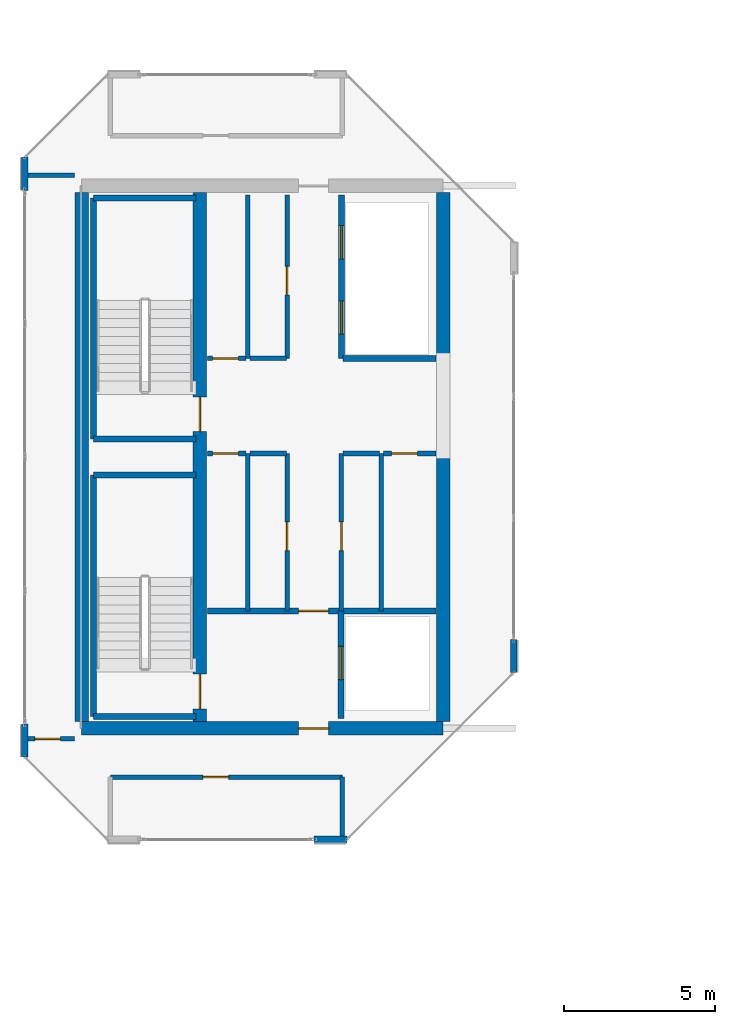
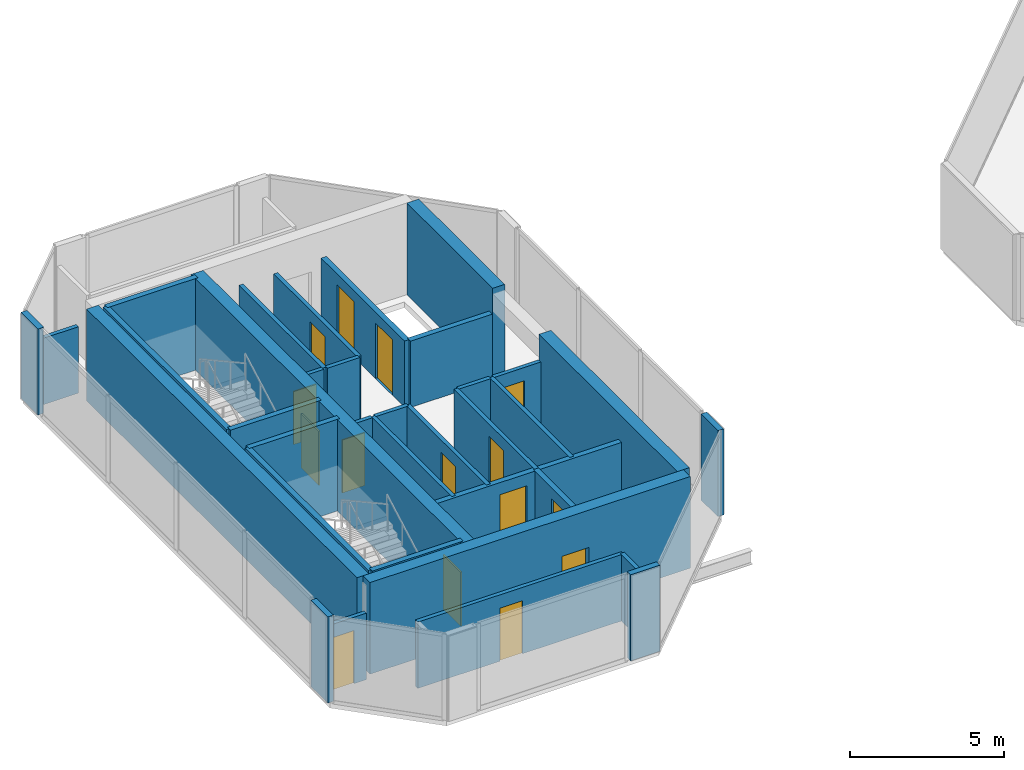
# One storey, part 23 of 30: 35 walls, 15 doors, 15 openings.
"""IFC4 building model written with IfcOpenShell, lengths in metres."""

from ifc_helpers import new_model, si_unit, direction, frame, frame_2d, origin, place, context, subcontext, project, spatial, rectangle, extrude, material, layer, layer_set, type_object, element, fill, save


model = new_model("IFC4")

# Units and contexts
model_context = context("Model", 3, precision=1e-05, world=origin(), true_north=direction((0.0, 1.0)))
body_context = subcontext(model_context, "Body", "Model", "MODEL_VIEW")
ifc_project = project(units=[si_unit("LENGTHUNIT", "METRE"), si_unit("AREAUNIT", "SQUARE_METRE"), si_unit("VOLUMEUNIT", "CUBIC_METRE"), si_unit("PLANEANGLEUNIT", "RADIAN"), si_unit("MASSUNIT", "GRAM", prefix="KILO")], contexts=[model_context])

# Site, building, storey
site_placement = place(None, origin())
site = spatial("IfcSite", under=ifc_project, at=site_placement, CompositionType="ELEMENT")
building_placement = place(site_placement, origin())
building = spatial("IfcBuilding", under=site, at=building_placement, Name="Tanjung Sevakor Pilgrim Tower", CompositionType="ELEMENT")
storey_placement = place(building_placement, frame((0.0, 0.0, 253.43994140625)))
storey = spatial("IfcBuildingStorey", under=building, at=storey_placement, Name="L71", CompositionType="ELEMENT", Elevation=253.43994140625)

# Wall, opening, door
ifc_material_1 = material(Name="Concrete C60/75", Category="concrete")
ifc_layer_1 = layer(ifc_material_1, 0.449951171875)
ifc_layer_set_1 = layer_set([ifc_layer_1], Name="WALL-CW-450")
wall_type_1 = type_object("IfcWallType", Name="WALL-CW-450", PredefinedType="SHEAR", material=ifc_layer_set_1)
wall_1_placement = place(storey_placement, frame((24.0, 24.60009765625, 0.0), z_axis=(0.0, 0.0, 1.0), x_axis=(1.0, 0.0, 0.0)))
wall_1 = element("IfcWall", 1, at=wall_1_placement, inside=storey, type_object=wall_type_1, Name="L71 W Core South Shear Wall", PredefinedType="SHEAR", context=body_context, shape_type="SweptSolid", body=[
    extrude(rectangle(XDim=12.0, YDim=0.449951171875, at=frame_2d((6.0, 0.0))), origin(), (0.0, 0.0, 1.0), 3.630126953125),
])
opening_1_placement = place(wall_1_placement, frame((7.199951171875, 0.0, 0.0)))
opening_1 = element("IfcOpeningElement", 2, at=opening_1_placement, cuts=wall_1, Name="Opening ID-FD1", PredefinedType="OPENING", context=body_context, shape_type="SweptSolid", body=[
    extrude(rectangle(XDim=1.0, YDim=2.14990234375, at=frame_2d((0.5, 1.074951171875))), frame((0.0, 0.23486328125, 0.0), z_axis=(0.0, -1.0, 0.0), x_axis=(1.0, 0.0, 0.0)), (0.0, 0.0, 1.0), 0.469970703125),
])
ifc_material_2 = material(Name="Fire-Rated Steel S355J2", Category="steel")
door_type_1 = type_object("IfcDoorType", Name="DT-FIRE-1000", OperationType="NOTDEFINED", PredefinedType="DOOR", material=ifc_material_2)
door_1_placement = place(opening_1_placement, origin())
door_1 = element("IfcDoor", 3, at=door_1_placement, inside=storey, type_object=door_type_1, Name="L71 West Core South Vestibule Fire Door", OperationType="SINGLE_SWING_LEFT", OverallHeight=2.14990234375, OverallWidth=1.0, PredefinedType="DOOR", context=body_context, shape_type="SweptSolid", body=[
    extrude(rectangle(XDim=1.0, YDim=2.14990234375, at=frame_2d((0.5, 1.074951171875))), frame((0.0, 0.02490234375, 0.0), z_axis=(0.0, -1.0, 0.0), x_axis=(1.0, 0.0, 0.0)), (0.0, 0.0, 1.0), 0.050048828125),
])
fill(opening_1, door_1)

# Walls
wall_2_placement = place(storey_placement, frame((24.0, 24.824951171875, 0.0), z_axis=(0.0, 0.0, 1.0), x_axis=(0.0, 1.0, 0.0)))
element("IfcWall", 4, at=wall_2_placement, inside=storey, type_object=wall_type_1, Name="L71 W Core Outer Shear Wall", PredefinedType="SHEAR", context=body_context, shape_type="SweptSolid", body=[
    extrude(rectangle(XDim=17.550048828125, YDim=0.449951171875, at=frame_2d((8.77490234375, 0.0))), origin(), (0.0, 0.0, 1.0), 3.630126953125),
])
wall_3_placement = place(storey_placement, frame((36.0, 24.824951171875, 0.0), z_axis=(0.0, 0.0, 1.0), x_axis=(0.0, 1.0, 0.0)))
element("IfcWall", 5, at=wall_3_placement, inside=storey, type_object=wall_type_1, Name="L71 W Core Inner Shear Wall South", PredefinedType="SHEAR", context=body_context, shape_type="SweptSolid", body=[
    extrude(rectangle(XDim=8.97509765625, YDim=0.449951171875, at=frame_2d((4.487548828125, 0.0))), origin(), (0.0, 0.0, 1.0), 3.630126953125),
])
wall_4_placement = place(storey_placement, frame((36.0, 36.800048828125, 0.0), z_axis=(0.0, 0.0, 1.0), x_axis=(0.0, 1.0, 0.0)))
element("IfcWall", 6, at=wall_4_placement, inside=storey, type_object=wall_type_1, Name="L71 W Core Inner Shear Wall North", PredefinedType="SHEAR", context=body_context, shape_type="SweptSolid", body=[
    extrude(rectangle(XDim=5.574951171875, YDim=0.449951171875, at=frame_2d((2.78759765625, 0.0))), origin(), (0.0, 0.0, 1.0), 3.630126953125),
])

# Wall, openings, doors
wall_5_placement = place(storey_placement, frame((27.925048828125, 24.824951171875, 0.0), z_axis=(0.0, 0.0, 1.0), x_axis=(0.0, 1.0, 0.0)))
wall_5 = element("IfcWall", 7, at=wall_5_placement, inside=storey, type_object=wall_type_1, Name="L71 W Core Stair Spine Wall", PredefinedType="SHEAR", context=body_context, shape_type="SweptSolid", body=[
    extrude(rectangle(XDim=17.550048828125, YDim=0.449951171875, at=frame_2d((8.77490234375, 0.0))), origin(), (0.0, 0.0, 1.0), 3.630126953125),
])
opening_2_placement = place(wall_5_placement, frame((0.425048828125, 0.0, 0.0)))
opening_2 = element("IfcOpeningElement", 8, at=opening_2_placement, cuts=wall_5, Name="Opening ID-ST1", PredefinedType="OPENING", context=body_context, shape_type="SweptSolid", body=[
    extrude(rectangle(XDim=1.14990234375, YDim=2.14990234375, at=frame_2d((0.574951171875, 1.074951171875))), frame((0.0, 0.23486328125, 0.0), z_axis=(0.0, -1.0, 0.0), x_axis=(1.0, 0.0, 0.0)), (0.0, 0.0, 1.0), 0.469970703125),
])
opening_3_placement = place(wall_5_placement, frame((9.625, 0.0, 0.0)))
opening_3 = element("IfcOpeningElement", 9, at=opening_3_placement, cuts=wall_5, Name="Opening ID-ST1", PredefinedType="OPENING", context=body_context, shape_type="SweptSolid", body=[
    extrude(rectangle(XDim=1.14990234375, YDim=2.14990234375, at=frame_2d((0.574951171875, 1.074951171875))), frame((0.0, 0.23486328125, 0.0), z_axis=(0.0, -1.0, 0.0), x_axis=(1.0, 0.0, 0.0)), (0.0, 0.0, 1.0), 0.469970703125),
])
ifc_material_3 = material(Name="Fire-Rated Steel S355J2", Category="steel")
door_type_2 = type_object("IfcDoorType", Name="DT-FIRE-1150", OperationType="NOTDEFINED", PredefinedType="DOOR", material=ifc_material_3)
door_2_placement = place(opening_2_placement, origin())
door_2 = element("IfcDoor", 10, at=door_2_placement, inside=storey, type_object=door_type_2, Name="L71 TS-W1 Stair Fire Door", OperationType="SINGLE_SWING_RIGHT", OverallHeight=2.14990234375, OverallWidth=1.14990234375, PredefinedType="DOOR", context=body_context, shape_type="SweptSolid", body=[
    extrude(rectangle(XDim=1.14990234375, YDim=2.14990234375, at=frame_2d((0.574951171875, 1.074951171875))), frame((0.0, 0.02490234375, 0.0), z_axis=(0.0, -1.0, 0.0), x_axis=(1.0, 0.0, 0.0)), (0.0, 0.0, 1.0), 0.050048828125),
])
fill(opening_2, door_2)
door_3_placement = place(opening_3_placement, origin())
door_3 = element("IfcDoor", 11, at=door_3_placement, inside=storey, type_object=door_type_2, Name="L71 TS-W2 Stair Fire Door", OperationType="SINGLE_SWING_LEFT", OverallHeight=2.14990234375, OverallWidth=1.14990234375, PredefinedType="DOOR", context=body_context, shape_type="SweptSolid", body=[
    extrude(rectangle(XDim=1.14990234375, YDim=2.14990234375, at=frame_2d((0.574951171875, 1.074951171875))), frame((0.0, 0.02490234375, 0.0), z_axis=(0.0, -1.0, 0.0), x_axis=(1.0, 0.0, 0.0)), (0.0, 0.0, 1.0), 0.050048828125),
])
fill(opening_3, door_3)

# Wall
ifc_material_4 = material(Name="Concrete C40/50", Category="concrete")
ifc_layer_2 = layer(ifc_material_4, 0.14990234375)
ifc_layer_set_2 = layer_set([ifc_layer_2], Name="WT-COMP-150")
wall_type_2 = type_object("IfcWallType", Name="WT-COMP-150", PredefinedType="SOLIDWALL", material=ifc_layer_set_2)
wall_6_placement = place(storey_placement, frame((29.52001953125, 28.5, 0.0), z_axis=(0.0, 0.0, 1.0), x_axis=(0.0, 1.0, 0.0)))
element("IfcWall", 12, at=wall_6_placement, inside=storey, type_object=wall_type_2, Name="L71 Partition IW-L71-003", PredefinedType="SOLIDWALL", context=body_context, shape_type="SweptSolid", body=[
    extrude(rectangle(XDim=5.219970703125, YDim=0.14990234375, at=frame_2d((2.60986328125, 0.0))), origin(), (0.0, 0.0, 1.0), 2.6298828125),
])

# Wall, opening, door
wall_7_placement = place(storey_placement, frame((28.169921875, 33.719970703125, 0.0), z_axis=(0.0, 0.0, 1.0), x_axis=(1.0, 0.0, 0.0)))
wall_7 = element("IfcWall", 13, at=wall_7_placement, inside=storey, type_object=wall_type_2, Name="L71 Partition IW-L71-004", PredefinedType="SOLIDWALL", context=body_context, shape_type="SweptSolid", body=[
    extrude(rectangle(XDim=1.280029296875, YDim=0.14990234375, at=frame_2d((0.64013671875, 0.0))), origin(), (0.0, 0.0, 1.0), 2.6298828125),
])
opening_4_placement = place(wall_7_placement, frame((0.179931640625, 0.0, 0.0)))
opening_4 = element("IfcOpeningElement", 14, at=opening_4_placement, cuts=wall_7, Name="Opening ID-FD3", PredefinedType="OPENING", context=body_context, shape_type="SweptSolid", body=[
    extrude(rectangle(XDim=0.85009765625, YDim=2.10009765625, at=frame_2d((0.425048828125, 1.050048828125))), frame((0.0, 0.0849609375, 0.0), z_axis=(0.0, -1.0, 0.0), x_axis=(1.0, 0.0, 0.0)), (0.0, 0.0, 1.0), 0.169921875),
])
ifc_material_5 = material(Name="Fire-Rated Timber", Category="wood")
door_type_3 = type_object("IfcDoorType", Name="DT-FIRE-850", OperationType="NOTDEFINED", PredefinedType="DOOR", material=ifc_material_5)
door_4_placement = place(opening_4_placement, origin())
door_4 = element("IfcDoor", 15, at=door_4_placement, inside=storey, type_object=door_type_3, Name="L71 Cleaner Store Door", OperationType="SINGLE_SWING_LEFT", OverallHeight=2.10009765625, OverallWidth=0.85009765625, PredefinedType="DOOR", context=body_context, shape_type="SweptSolid", body=[
    extrude(rectangle(XDim=0.85009765625, YDim=2.10009765625, at=frame_2d((0.425048828125, 1.050048828125))), frame((0.0, 0.02490234375, 0.0), z_axis=(0.0, -1.0, 0.0), x_axis=(1.0, 0.0, 0.0)), (0.0, 0.0, 1.0), 0.050048828125),
])
fill(opening_4, door_4)

# Wall
wall_8_placement = place(storey_placement, frame((29.580078125, 33.719970703125, 0.0), z_axis=(0.0, 0.0, 1.0), x_axis=(1.0, 0.0, 0.0)))
element("IfcWall", 16, at=wall_8_placement, inside=storey, type_object=wall_type_2, Name="L71 Partition IW-L71-005", PredefinedType="SOLIDWALL", context=body_context, shape_type="SweptSolid", body=[
    extrude(rectangle(XDim=1.219970703125, YDim=0.14990234375, at=frame_2d((0.60986328125, 0.0))), origin(), (0.0, 0.0, 1.0), 2.6298828125),
])

# Wall, opening, door
wall_9_placement = place(storey_placement, frame((30.820068359375, 28.5, 0.0), z_axis=(0.0, 0.0, 1.0), x_axis=(0.0, 1.0, 0.0)))
wall_9 = element("IfcWall", 17, at=wall_9_placement, inside=storey, type_object=wall_type_2, Name="L71 Partition IW-L71-006", PredefinedType="SOLIDWALL", context=body_context, shape_type="SweptSolid", body=[
    extrude(rectangle(XDim=5.219970703125, YDim=0.14990234375, at=frame_2d((2.60986328125, 0.0))), origin(), (0.0, 0.0, 1.0), 2.6298828125),
])
opening_5_placement = place(wall_9_placement, frame((2.0, 0.0, 0.0)))
opening_5 = element("IfcOpeningElement", 18, at=opening_5_placement, cuts=wall_9, Name="Opening ID-FD2", PredefinedType="OPENING", context=body_context, shape_type="SweptSolid", body=[
    extrude(rectangle(XDim=0.949951171875, YDim=2.14990234375, at=frame_2d((0.47509765625, 1.074951171875))), frame((0.0, 0.0849609375, 0.0), z_axis=(0.0, -1.0, 0.0), x_axis=(1.0, 0.0, 0.0)), (0.0, 0.0, 1.0), 0.169921875),
])
ifc_material_6 = material(Name="Fire-Rated Timber", Category="wood")
door_type_4 = type_object("IfcDoorType", Name="DT-FIRE-950", OperationType="NOTDEFINED", PredefinedType="DOOR", material=ifc_material_6)
door_5_placement = place(opening_5_placement, origin())
door_5 = element("IfcDoor", 19, at=door_5_placement, inside=storey, type_object=door_type_4, Name="L71 Housekeeping Pantry Door", OperationType="SINGLE_SWING_RIGHT", OverallHeight=2.14990234375, OverallWidth=0.949951171875, PredefinedType="DOOR", context=body_context, shape_type="SweptSolid", body=[
    extrude(rectangle(XDim=0.949951171875, YDim=2.14990234375, at=frame_2d((0.47509765625, 1.074951171875))), frame((0.0, 0.02490234375, 0.0), z_axis=(0.0, -1.0, 0.0), x_axis=(1.0, 0.0, 0.0)), (0.0, 0.0, 1.0), 0.050048828125),
])
fill(opening_5, door_5)

# Walls
wall_10_placement = place(storey_placement, frame((33.949951171875, 28.5, 0.0), z_axis=(0.0, 0.0, 1.0), x_axis=(0.0, 1.0, 0.0)))
element("IfcWall", 20, at=wall_10_placement, inside=storey, type_object=wall_type_2, Name="L71 Partition IW-L71-007", PredefinedType="SOLIDWALL", context=body_context, shape_type="SweptSolid", body=[
    extrude(rectangle(XDim=5.219970703125, YDim=0.14990234375, at=frame_2d((2.60986328125, 0.0))), origin(), (0.0, 0.0, 1.0), 2.6298828125),
])
wall_11_placement = place(storey_placement, frame((32.679931640625, 33.719970703125, 0.0), z_axis=(0.0, 0.0, 1.0), x_axis=(1.0, 0.0, 0.0)))
element("IfcWall", 21, at=wall_11_placement, inside=storey, type_object=wall_type_2, Name="L71 Partition IW-L71-008", PredefinedType="SOLIDWALL", context=body_context, shape_type="SweptSolid", body=[
    extrude(rectangle(XDim=1.2099609375, YDim=0.14990234375, at=frame_2d((0.60498046875, 0.0))), origin(), (0.0, 0.0, 1.0), 2.6298828125),
])

# Wall, opening, door
wall_12_placement = place(storey_placement, frame((34.010009765625, 33.719970703125, 0.0), z_axis=(0.0, 0.0, 1.0), x_axis=(1.0, 0.0, 0.0)))
wall_12 = element("IfcWall", 22, at=wall_12_placement, inside=storey, type_object=wall_type_2, Name="L71 Partition IW-L71-009", PredefinedType="SOLIDWALL", context=body_context, shape_type="SweptSolid", body=[
    extrude(rectangle(XDim=1.744873046875, YDim=0.14990234375, at=frame_2d((0.87255859375, 0.0))), origin(), (0.0, 0.0, 1.0), 2.6298828125),
])
opening_6_placement = place(wall_12_placement, frame((0.280029296875, 0.0, 0.0)))
opening_6 = element("IfcOpeningElement", 23, at=opening_6_placement, cuts=wall_12, Name="Opening ID-FD3", PredefinedType="OPENING", context=body_context, shape_type="SweptSolid", body=[
    extrude(rectangle(XDim=0.85009765625, YDim=2.10009765625, at=frame_2d((0.425048828125, 1.050048828125))), frame((0.0, 0.0849609375, 0.0), z_axis=(0.0, -1.0, 0.0), x_axis=(1.0, 0.0, 0.0)), (0.0, 0.0, 1.0), 0.169921875),
])
door_6_placement = place(opening_6_placement, origin())
door_6 = element("IfcDoor", 24, at=door_6_placement, inside=storey, type_object=door_type_3, Name="L71 Service Store Door", OperationType="SINGLE_SWING_LEFT", OverallHeight=2.10009765625, OverallWidth=0.85009765625, PredefinedType="DOOR", context=body_context, shape_type="SweptSolid", body=[
    extrude(rectangle(XDim=0.85009765625, YDim=2.10009765625, at=frame_2d((0.425048828125, 1.050048828125))), frame((0.0, 0.02490234375, 0.0), z_axis=(0.0, -1.0, 0.0), x_axis=(1.0, 0.0, 0.0)), (0.0, 0.0, 1.0), 0.050048828125),
])
fill(opening_6, door_6)

wall_13_placement = place(storey_placement, frame((32.6201171875, 28.5, 0.0), z_axis=(0.0, 0.0, 1.0), x_axis=(0.0, 1.0, 0.0)))
wall_13 = element("IfcWall", 25, at=wall_13_placement, inside=storey, type_object=wall_type_2, Name="L71 Partition IW-L71-010", PredefinedType="SOLIDWALL", context=body_context, shape_type="SweptSolid", body=[
    extrude(rectangle(XDim=5.219970703125, YDim=0.14990234375, at=frame_2d((2.60986328125, 0.0))), origin(), (0.0, 0.0, 1.0), 2.6298828125),
])
opening_7_placement = place(wall_13_placement, frame((2.0, 0.0, 0.0)))
opening_7 = element("IfcOpeningElement", 26, at=opening_7_placement, cuts=wall_13, Name="Opening ID-FD2", PredefinedType="OPENING", context=body_context, shape_type="SweptSolid", body=[
    extrude(rectangle(XDim=0.949951171875, YDim=2.14990234375, at=frame_2d((0.47509765625, 1.074951171875))), frame((0.0, 0.0849609375, 0.0), z_axis=(0.0, -1.0, 0.0), x_axis=(1.0, 0.0, 0.0)), (0.0, 0.0, 1.0), 0.169921875),
])
door_7_placement = place(opening_7_placement, origin())
door_7 = element("IfcDoor", 27, at=door_7_placement, inside=storey, type_object=door_type_4, Name="L71 Accessible WC Door", OperationType="SINGLE_SWING_RIGHT", OverallHeight=2.14990234375, OverallWidth=0.949951171875, PredefinedType="DOOR", context=body_context, shape_type="SweptSolid", body=[
    extrude(rectangle(XDim=0.949951171875, YDim=2.14990234375, at=frame_2d((0.47509765625, 1.074951171875))), frame((0.0, 0.02490234375, 0.0), z_axis=(0.0, -1.0, 0.0), x_axis=(1.0, 0.0, 0.0)), (0.0, 0.0, 1.0), 0.050048828125),
])
fill(opening_7, door_7)

# Wall
wall_14_placement = place(storey_placement, frame((29.52001953125, 36.8798828125, 0.0), z_axis=(0.0, 0.0, 1.0), x_axis=(0.0, 1.0, 0.0)))
element("IfcWall", 28, at=wall_14_placement, inside=storey, type_object=wall_type_2, Name="L71 Partition IW-L71-011", PredefinedType="SOLIDWALL", context=body_context, shape_type="SweptSolid", body=[
    extrude(rectangle(XDim=5.420166015625, YDim=0.14990234375, at=frame_2d((2.7099609375, 0.0))), origin(), (0.0, 0.0, 1.0), 2.6298828125),
])

# Wall, opening, door
wall_15_placement = place(storey_placement, frame((28.169921875, 36.8798828125, 0.0), z_axis=(0.0, 0.0, 1.0), x_axis=(1.0, 0.0, 0.0)))
wall_15 = element("IfcWall", 29, at=wall_15_placement, inside=storey, type_object=wall_type_2, Name="L71 Partition IW-L71-012", PredefinedType="SOLIDWALL", context=body_context, shape_type="SweptSolid", body=[
    extrude(rectangle(XDim=1.280029296875, YDim=0.14990234375, at=frame_2d((0.64013671875, 0.0))), origin(), (0.0, 0.0, 1.0), 2.6298828125),
])
opening_8_placement = place(wall_15_placement, frame((0.179931640625, 0.0, 0.0)))
opening_8 = element("IfcOpeningElement", 30, at=opening_8_placement, cuts=wall_15, Name="Opening ID-FD3", PredefinedType="OPENING", context=body_context, shape_type="SweptSolid", body=[
    extrude(rectangle(XDim=0.85009765625, YDim=2.10009765625, at=frame_2d((0.425048828125, 1.050048828125))), frame((0.0, 0.0849609375, 0.0), z_axis=(0.0, -1.0, 0.0), x_axis=(1.0, 0.0, 0.0)), (0.0, 0.0, 1.0), 0.169921875),
])
door_8_placement = place(opening_8_placement, origin())
door_8 = element("IfcDoor", 31, at=door_8_placement, inside=storey, type_object=door_type_3, Name="L71 Service Store Door", OperationType="SINGLE_SWING_LEFT", OverallHeight=2.10009765625, OverallWidth=0.85009765625, PredefinedType="DOOR", context=body_context, shape_type="SweptSolid", body=[
    extrude(rectangle(XDim=0.85009765625, YDim=2.10009765625, at=frame_2d((0.425048828125, 1.050048828125))), frame((0.0, 0.02490234375, 0.0), z_axis=(0.0, -1.0, 0.0), x_axis=(1.0, 0.0, 0.0)), (0.0, 0.0, 1.0), 0.050048828125),
])
fill(opening_8, door_8)

# Wall
wall_16_placement = place(storey_placement, frame((29.580078125, 36.8798828125, 0.0), z_axis=(0.0, 0.0, 1.0), x_axis=(1.0, 0.0, 0.0)))
element("IfcWall", 32, at=wall_16_placement, inside=storey, type_object=wall_type_2, Name="L71 Partition IW-L71-013", PredefinedType="SOLIDWALL", context=body_context, shape_type="SweptSolid", body=[
    extrude(rectangle(XDim=1.219970703125, YDim=0.14990234375, at=frame_2d((0.60986328125, 0.0))), origin(), (0.0, 0.0, 1.0), 2.6298828125),
])

# Wall, opening, door
wall_17_placement = place(storey_placement, frame((30.820068359375, 36.8798828125, 0.0), z_axis=(0.0, 0.0, 1.0), x_axis=(0.0, 1.0, 0.0)))
wall_17 = element("IfcWall", 33, at=wall_17_placement, inside=storey, type_object=wall_type_2, Name="L71 Partition IW-L71-014", PredefinedType="SOLIDWALL", context=body_context, shape_type="SweptSolid", body=[
    extrude(rectangle(XDim=5.420166015625, YDim=0.14990234375, at=frame_2d((2.7099609375, 0.0))), origin(), (0.0, 0.0, 1.0), 2.6298828125),
])
opening_9_placement = place(wall_17_placement, frame((2.10009765625, 0.0, 0.0)))
opening_9 = element("IfcOpeningElement", 34, at=opening_9_placement, cuts=wall_17, Name="Opening ID-FD2", PredefinedType="OPENING", context=body_context, shape_type="SweptSolid", body=[
    extrude(rectangle(XDim=0.949951171875, YDim=2.14990234375, at=frame_2d((0.47509765625, 1.074951171875))), frame((0.0, 0.0849609375, 0.0), z_axis=(0.0, -1.0, 0.0), x_axis=(1.0, 0.0, 0.0)), (0.0, 0.0, 1.0), 0.169921875),
])
door_9_placement = place(opening_9_placement, origin())
door_9 = element("IfcDoor", 35, at=door_9_placement, inside=storey, type_object=door_type_4, Name="L71 Core Reading Room Door", OperationType="SINGLE_SWING_RIGHT", OverallHeight=2.14990234375, OverallWidth=0.949951171875, PredefinedType="DOOR", context=body_context, shape_type="SweptSolid", body=[
    extrude(rectangle(XDim=0.949951171875, YDim=2.14990234375, at=frame_2d((0.47509765625, 1.074951171875))), frame((0.0, 0.02490234375, 0.0), z_axis=(0.0, -1.0, 0.0), x_axis=(1.0, 0.0, 0.0)), (0.0, 0.0, 1.0), 0.050048828125),
])
fill(opening_9, door_9)

wall_18_placement = place(storey_placement, frame((24.949951171875, 22.97998046875, 0.0), z_axis=(0.0, 0.0, 1.0), x_axis=(1.0, 0.0, 0.0)))
wall_18 = element("IfcWall", 36, at=wall_18_placement, inside=storey, type_object=wall_type_2, Name="L71 Partition IW-L71-033", PredefinedType="SOLIDWALL", context=body_context, shape_type="SweptSolid", body=[
    extrude(rectangle(XDim=7.699951171875, YDim=0.14990234375, at=frame_2d((3.85009765625, 0.0))), origin(), (0.0, 0.0, 1.0), 2.6298828125),
])
opening_10_placement = place(wall_18_placement, frame((3.074951171875, 0.0, 0.0)))
opening_10 = element("IfcOpeningElement", 37, at=opening_10_placement, cuts=wall_18, Name="Opening ID-WC1", PredefinedType="OPENING", context=body_context, shape_type="SweptSolid", body=[
    extrude(rectangle(XDim=0.85009765625, YDim=2.10009765625, at=frame_2d((0.425048828125, 1.050048828125))), frame((0.0, 0.0849609375, 0.0), z_axis=(0.0, -1.0, 0.0), x_axis=(1.0, 0.0, 0.0)), (0.0, 0.0, 1.0), 0.169921875),
])
ifc_material_7 = material(Name="Moisture-Resistant Timber", Category="wood")
door_type_5 = type_object("IfcDoorType", Name="DT-INT-850", OperationType="NOTDEFINED", PredefinedType="DOOR", material=ifc_material_7)
door_10_placement = place(opening_10_placement, origin())
door_10 = element("IfcDoor", 38, at=door_10_placement, inside=storey, type_object=door_type_5, Name="L71 West Peak Meditation Door", OperationType="SINGLE_SWING_LEFT", OverallHeight=2.10009765625, OverallWidth=0.85009765625, PredefinedType="DOOR", context=body_context, shape_type="SweptSolid", body=[
    extrude(rectangle(XDim=0.85009765625, YDim=2.10009765625, at=frame_2d((0.425048828125, 1.050048828125))), frame((0.0, 0.02490234375, 0.0), z_axis=(0.0, -1.0, 0.0), x_axis=(1.0, 0.0, 0.0)), (0.0, 0.0, 1.0), 0.050048828125),
])
fill(opening_10, door_10)

# Wall
wall_19_placement = place(storey_placement, frame((32.64990234375, 20.919921875, 0.0), z_axis=(0.0, 0.0, 1.0), x_axis=(0.0, 1.0, 0.0)))
element("IfcWall", 39, at=wall_19_placement, inside=storey, type_object=wall_type_2, Name="L71 Partition IW-L71-035", PredefinedType="SOLIDWALL", context=body_context, shape_type="SweptSolid", body=[
    extrude(rectangle(XDim=2.06005859375, YDim=0.14990234375, at=frame_2d((1.030029296875, 0.0))), origin(), (0.0, 0.0, 1.0), 2.6298828125),
])

# Wall, opening, door
wall_20_placement = place(storey_placement, frame((22.1201171875, 24.25, 0.0), z_axis=(0.0, 0.0, 1.0), x_axis=(1.0, 0.0, 0.0)))
wall_20 = element("IfcWall", 40, at=wall_20_placement, inside=storey, type_object=wall_type_2, Name="L71 Partition IW-L71-036", PredefinedType="SOLIDWALL", context=body_context, shape_type="SweptSolid", body=[
    extrude(rectangle(XDim=1.639892578125, YDim=0.14990234375, at=frame_2d((0.81982421875, 0.0))), origin(), (0.0, 0.0, 1.0), 2.6298828125),
])
opening_11_placement = place(wall_20_placement, frame((0.324951171875, 0.0, 0.0)))
opening_11 = element("IfcOpeningElement", 41, at=opening_11_placement, cuts=wall_20, Name="Opening ID-WC1", PredefinedType="OPENING", context=body_context, shape_type="SweptSolid", body=[
    extrude(rectangle(XDim=0.85009765625, YDim=2.10009765625, at=frame_2d((0.425048828125, 1.050048828125))), frame((0.0, 0.0849609375, 0.0), z_axis=(0.0, -1.0, 0.0), x_axis=(1.0, 0.0, 0.0)), (0.0, 0.0, 1.0), 0.169921875),
])
door_11_placement = place(opening_11_placement, origin())
door_11 = element("IfcDoor", 42, at=door_11_placement, inside=storey, type_object=door_type_5, Name="L71 West Peak Sky Lounge Door", OperationType="SINGLE_SWING_RIGHT", OverallHeight=2.10009765625, OverallWidth=0.85009765625, PredefinedType="DOOR", context=body_context, shape_type="SweptSolid", body=[
    extrude(rectangle(XDim=0.85009765625, YDim=2.10009765625, at=frame_2d((0.425048828125, 1.050048828125))), frame((0.0, 0.02490234375, 0.0), z_axis=(0.0, -1.0, 0.0), x_axis=(1.0, 0.0, 0.0)), (0.0, 0.0, 1.0), 0.050048828125),
])
fill(opening_11, door_11)

# Walls
wall_21_placement = place(storey_placement, frame((22.1201171875, 42.949951171875, 0.0), z_axis=(0.0, 0.0, 1.0), x_axis=(1.0, 0.0, 0.0)))
element("IfcWall", 43, at=wall_21_placement, inside=storey, type_object=wall_type_2, Name="L71 Partition IW-L71-037", PredefinedType="SOLIDWALL", context=body_context, shape_type="SweptSolid", body=[
    extrude(rectangle(XDim=1.639892578125, YDim=0.14990234375, at=frame_2d((0.81982421875, 0.0))), origin(), (0.0, 0.0, 1.0), 2.6298828125),
])
ifc_material_8 = material(Name="Precast concrete C45/55", Category="concrete")
ifc_layer_3 = layer(ifc_material_8, 0.219970703125)
ifc_layer_set_3 = layer_set([ifc_layer_3], Name="WT-EW-STN4")
wall_type_3 = type_object("IfcWallType", Name="WT-EW-STN4", PredefinedType="SOLIDWALL", material=ifc_layer_set_3)
for number, where, z_axis, x_axis, name in (
    (44, (31.704345703125, 20.909912109375, 0.0), (0.0, 0.0, 1.0), (1.0, 0.0, 0.0), "L71 WEST Crown Pier 0-1B"),
    (45, (38.340087890625, 26.445556640625, 0.0), (0.0, 0.0, 1.0), (0.0, 1.0, 0.0), "L71 WEST Crown Pier 2-1A"),
    (46, (22.110107421875, 43.554443359375, 0.0), (0.0, 0.0, 1.0), (0.0, -1.0, 0.0), "L71 WEST Crown Pier 6-1A"),
    (47, (22.110107421875, 24.74560546875, 0.0), (0.0, 0.0, 1.0), (0.0, -1.0, 0.0), "L71 WEST Crown Pier 6-1B"),
):
    element("IfcWall", number, at=place(storey_placement, frame(where, z_axis=z_axis, x_axis=x_axis)), inside=storey, type_object=wall_type_3, Name=name, PredefinedType="SOLIDWALL", context=body_context, shape_type="SweptSolid", body=[
        extrude(rectangle(XDim=1.10009765625, YDim=0.219970703125, at=frame_2d((0.550048828125, 0.0))), origin(), (0.0, 0.0, 1.0), 3.409912109375),
    ])
ifc_material_9 = material(Name="Concrete C40/50", Category="concrete")
ifc_layer_4 = layer(ifc_material_9, 0.199951171875)
ifc_layer_set_4 = layer_set([ifc_layer_4], Name="WT-FIRE-200")
wall_type_4 = type_object("IfcWallType", Name="WT-FIRE-200", PredefinedType="SOLIDWALL", material=ifc_layer_set_4)
for number, where, z_axis, x_axis, name in (
    (48, (24.39990234375, 25.0, 0.0), (0.0, 0.0, 1.0), (1.0, 0.0, 0.0), "L71 TS-W1 Shaft Wall 1"),
    (49, (27.800048828125, 33.0, 0.0), (0.0, 0.0, 1.0), (-1.0, 0.0, 0.0), "L71 TS-W1 Shaft Wall 2"),
):
    element("IfcWall", number, at=place(storey_placement, frame(where, z_axis=z_axis, x_axis=x_axis)), inside=storey, type_object=wall_type_4, Name=name, PredefinedType="SOLIDWALL", context=body_context, shape_type="SweptSolid", body=[
        extrude(rectangle(XDim=3.400146484375, YDim=0.199951171875, at=frame_2d((1.7001953125, 0.0))), origin(), (0.0, 0.0, 1.0), 3.630126953125),
    ])
wall_22_placement = place(storey_placement, frame((24.39990234375, 33.0, 0.0), z_axis=(0.0, 0.0, 1.0), x_axis=(0.0, -1.0, 0.0)))
element("IfcWall", 50, at=wall_22_placement, inside=storey, type_object=wall_type_4, Name="L71 TS-W1 Shaft Wall 3", PredefinedType="SOLIDWALL", context=body_context, shape_type="SweptSolid", body=[
    extrude(rectangle(XDim=8.0, YDim=0.199951171875, at=frame_2d((4.0, 0.0))), origin(), (0.0, 0.0, 1.0), 3.630126953125),
])
for number, where, z_axis, x_axis, name in (
    (51, (24.39990234375, 34.199951171875, 0.0), (0.0, 0.0, 1.0), (1.0, 0.0, 0.0), "L71 TS-W2 Shaft Wall 1"),
    (52, (27.800048828125, 42.199951171875, 0.0), (0.0, 0.0, 1.0), (-1.0, 0.0, 0.0), "L71 TS-W2 Shaft Wall 2"),
):
    element("IfcWall", number, at=place(storey_placement, frame(where, z_axis=z_axis, x_axis=x_axis)), inside=storey, type_object=wall_type_4, Name=name, PredefinedType="SOLIDWALL", context=body_context, shape_type="SweptSolid", body=[
        extrude(rectangle(XDim=3.400146484375, YDim=0.199951171875, at=frame_2d((1.7001953125, 0.0))), origin(), (0.0, 0.0, 1.0), 3.630126953125),
    ])
wall_23_placement = place(storey_placement, frame((24.39990234375, 42.199951171875, 0.0), z_axis=(0.0, 0.0, 1.0), x_axis=(0.0, -1.0, 0.0)))
element("IfcWall", 53, at=wall_23_placement, inside=storey, type_object=wall_type_4, Name="L71 TS-W2 Shaft Wall 3", PredefinedType="SOLIDWALL", context=body_context, shape_type="SweptSolid", body=[
    extrude(rectangle(XDim=8.0, YDim=0.199951171875, at=frame_2d((4.0, 0.0))), origin(), (0.0, 0.0, 1.0), 3.630126953125),
])

# Wall, opening, door
ifc_material_10 = material(Name="Concrete C40/50", Category="concrete")
ifc_layer_5 = layer(ifc_material_10, 0.199951171875)
ifc_layer_set_5 = layer_set([ifc_layer_5], Name="WT-FPRT-200")
wall_type_5 = type_object("IfcWallType", Name="WT-FPRT-200", PredefinedType="SOLIDWALL", material=ifc_layer_set_5)
wall_24_placement = place(storey_placement, frame((32.60009765625, 24.919921875, 0.0), z_axis=(0.0, 0.0, 1.0), x_axis=(0.0, 1.0, 0.0)))
wall_24 = element("IfcWall", 54, at=wall_24_placement, inside=storey, type_object=wall_type_5, Name="L71 Partition IW-L71-001", PredefinedType="SOLIDWALL", context=body_context, shape_type="SweptSolid", body=[
    extrude(rectangle(XDim=3.580078125, YDim=0.199951171875, at=frame_2d((1.7900390625, 0.0))), origin(), (0.0, 0.0, 1.0), 2.6298828125),
])
opening_12_placement = place(wall_24_placement, frame((1.300048828125, 0.0, 0.0)))
opening_12 = element("IfcOpeningElement", 55, at=opening_12_placement, cuts=wall_24, Name="Opening LD-1100", PredefinedType="OPENING", context=body_context, shape_type="SweptSolid", body=[
    extrude(rectangle(XDim=1.10009765625, YDim=2.199951171875, at=frame_2d((0.550048828125, 1.10009765625))), frame((0.0, 0.10986328125, 0.0), z_axis=(0.0, -1.0, 0.0), x_axis=(1.0, 0.0, 0.0)), (0.0, 0.0, 1.0), 0.219970703125),
])
ifc_material_11 = material(Name="Brushed Stainless Steel S355J2", Category="steel")
door_type_6 = type_object("IfcDoorType", Name="DT-LIFT-1100", OperationType="SLIDING_TO_LEFT", PredefinedType="DOOR", material=ifc_material_11)
door_12_placement = place(opening_12_placement, origin())
door_12 = element("IfcDoor", 56, at=door_12_placement, inside=storey, type_object=door_type_6, Name="LD-FL-W", OperationType="SLIDING_TO_LEFT", OverallHeight=2.199951171875, OverallWidth=1.10009765625, PredefinedType="DOOR", context=body_context, shape_type="SweptSolid", body=[
    extrude(rectangle(XDim=1.10009765625, YDim=2.199951171875, at=frame_2d((0.550048828125, 1.10009765625))), frame((0.0, 0.02490234375, 0.0), z_axis=(0.0, -1.0, 0.0), x_axis=(1.0, 0.0, 0.0)), (0.0, 0.0, 1.0), 0.050048828125),
])
fill(opening_12, door_12)

wall_25_placement = place(storey_placement, frame((28.169921875, 28.5, 0.0), z_axis=(0.0, 0.0, 1.0), x_axis=(1.0, 0.0, 0.0)))
wall_25 = element("IfcWall", 57, at=wall_25_placement, inside=storey, type_object=wall_type_5, Name="L71 Partition IW-L71-002", PredefinedType="SOLIDWALL", context=body_context, shape_type="SweptSolid", body=[
    extrude(rectangle(XDim=7.5849609375, YDim=0.199951171875, at=frame_2d((3.79248046875, 0.0))), origin(), (0.0, 0.0, 1.0), 2.6298828125),
])
opening_13_placement = place(wall_25_placement, frame((3.030029296875, 0.0, 0.0)))
opening_13 = element("IfcOpeningElement", 58, at=opening_13_placement, cuts=wall_25, Name="Opening ID-FD1", PredefinedType="OPENING", context=body_context, shape_type="SweptSolid", body=[
    extrude(rectangle(XDim=1.0, YDim=2.14990234375, at=frame_2d((0.5, 1.074951171875))), frame((0.0, 0.10986328125, 0.0), z_axis=(0.0, -1.0, 0.0), x_axis=(1.0, 0.0, 0.0)), (0.0, 0.0, 1.0), 0.219970703125),
])
door_13_placement = place(opening_13_placement, origin())
door_13 = element("IfcDoor", 59, at=door_13_placement, inside=storey, type_object=door_type_1, Name="Fire Lobby Door W", OperationType="SINGLE_SWING_RIGHT", OverallHeight=2.14990234375, OverallWidth=1.0, PredefinedType="DOOR", context=body_context, shape_type="SweptSolid", body=[
    extrude(rectangle(XDim=1.0, YDim=2.14990234375, at=frame_2d((0.5, 1.074951171875))), frame((0.0, 0.02490234375, 0.0), z_axis=(0.0, -1.0, 0.0), x_axis=(1.0, 0.0, 0.0)), (0.0, 0.0, 1.0), 0.050048828125),
])
fill(opening_13, door_13)

# Wall
wall_26_placement = place(storey_placement, frame((32.679931640625, 36.8798828125, 0.0), z_axis=(0.0, 0.0, 1.0), x_axis=(1.0, 0.0, 0.0)))
element("IfcWall", 60, at=wall_26_placement, inside=storey, type_object=wall_type_5, Name="L71 Partition IW-L71-015", PredefinedType="SOLIDWALL", context=body_context, shape_type="SweptSolid", body=[
    extrude(rectangle(XDim=3.074951171875, YDim=0.199951171875, at=frame_2d((1.53759765625, 0.0))), origin(), (0.0, 0.0, 1.0), 2.6298828125),
])

# Wall, openings, doors
wall_27_placement = place(storey_placement, frame((32.6201171875, 36.8798828125, 0.0), z_axis=(0.0, 0.0, 1.0), x_axis=(0.0, 1.0, 0.0)))
wall_27 = element("IfcWall", 61, at=wall_27_placement, inside=storey, type_object=wall_type_5, Name="L71 Partition IW-L71-016", PredefinedType="SOLIDWALL", context=body_context, shape_type="SweptSolid", body=[
    extrude(rectangle(XDim=5.420166015625, YDim=0.199951171875, at=frame_2d((2.7099609375, 0.0))), origin(), (0.0, 0.0, 1.0), 2.6298828125),
])
opening_14_placement = place(wall_27_placement, frame((0.800048828125, 0.0, 0.0)))
opening_14 = element("IfcOpeningElement", 62, at=opening_14_placement, cuts=wall_27, Name="Opening LD-1100", PredefinedType="OPENING", context=body_context, shape_type="SweptSolid", body=[
    extrude(rectangle(XDim=1.10009765625, YDim=2.199951171875, at=frame_2d((0.550048828125, 1.10009765625))), frame((0.0, 0.10986328125, 0.0), z_axis=(0.0, -1.0, 0.0), x_axis=(1.0, 0.0, 0.0)), (0.0, 0.0, 1.0), 0.219970703125),
])
opening_15_placement = place(wall_27_placement, frame((3.300048828125, 0.0, 0.0)))
opening_15 = element("IfcOpeningElement", 63, at=opening_15_placement, cuts=wall_27, Name="Opening LD-1100", PredefinedType="OPENING", context=body_context, shape_type="SweptSolid", body=[
    extrude(rectangle(XDim=1.10009765625, YDim=2.199951171875, at=frame_2d((0.550048828125, 1.10009765625))), frame((0.0, 0.10986328125, 0.0), z_axis=(0.0, -1.0, 0.0), x_axis=(1.0, 0.0, 0.0)), (0.0, 0.0, 1.0), 0.219970703125),
])
door_14_placement = place(opening_14_placement, origin())
door_14 = element("IfcDoor", 64, at=door_14_placement, inside=storey, type_object=door_type_6, Name="LD-PLH1-W", OperationType="SLIDING_TO_LEFT", OverallHeight=2.199951171875, OverallWidth=1.10009765625, PredefinedType="DOOR", context=body_context, shape_type="SweptSolid", body=[
    extrude(rectangle(XDim=1.10009765625, YDim=2.199951171875, at=frame_2d((0.550048828125, 1.10009765625))), frame((0.0, 0.02490234375, 0.0), z_axis=(0.0, -1.0, 0.0), x_axis=(1.0, 0.0, 0.0)), (0.0, 0.0, 1.0), 0.050048828125),
])
fill(opening_14, door_14)
door_15_placement = place(opening_15_placement, origin())
door_15 = element("IfcDoor", 65, at=door_15_placement, inside=storey, type_object=door_type_6, Name="LD-PLH2-W", OperationType="SLIDING_TO_RIGHT", OverallHeight=2.199951171875, OverallWidth=1.10009765625, PredefinedType="DOOR", context=body_context, shape_type="SweptSolid", body=[
    extrude(rectangle(XDim=1.10009765625, YDim=2.199951171875, at=frame_2d((0.550048828125, 1.10009765625))), frame((0.0, 0.02490234375, 0.0), z_axis=(0.0, -1.0, 0.0), x_axis=(1.0, 0.0, 0.0)), (0.0, 0.0, 1.0), 0.050048828125),
])
fill(opening_15, door_15)

save(model, "model.ifc")
